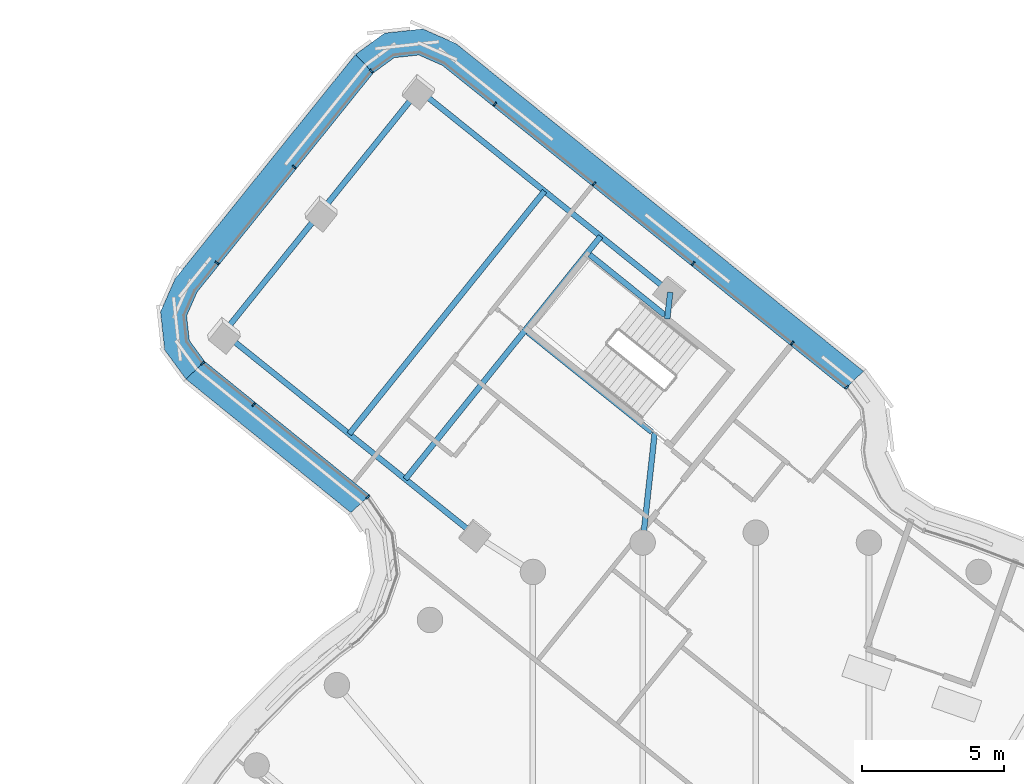
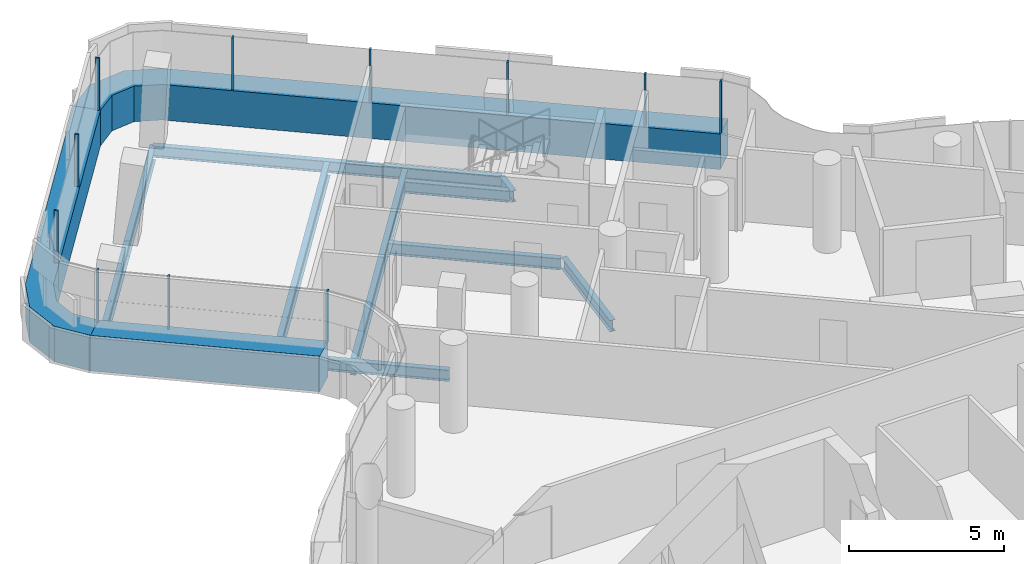
# One storey, part 12 of 25: 14 members, 10 beams, 4 elements without a shape of their own.
"""IFC4 building model written with IfcOpenShell, lengths in metres."""

from ifc_helpers import new_model, si_unit, direction, frame, origin, origin_2d, place, context, subcontext, project, spatial, polyline, rectangle, i_section, outline, extrude, material, layer, layer_set, material_profile, profile_set, type_object, element, aggregate, save


model = new_model("IFC4")

# Units and contexts
model_context = context("Model", 3, precision=1e-05, world=origin(), true_north=direction((0.0, 1.0)))
body_context = subcontext(model_context, "Body", "Model", "MODEL_VIEW")
ifc_project = project(units=[si_unit("LENGTHUNIT", "METRE"), si_unit("AREAUNIT", "SQUARE_METRE"), si_unit("VOLUMEUNIT", "CUBIC_METRE"), si_unit("PLANEANGLEUNIT", "RADIAN"), si_unit("MASSUNIT", "GRAM", prefix="KILO")], contexts=[model_context])

# Site, building, storey
site_placement = place(None, origin())
site = spatial("IfcSite", under=ifc_project, at=site_placement, CompositionType="ELEMENT")
building_placement = place(site_placement, origin())
building = spatial("IfcBuilding", under=site, at=building_placement, Name="Tamarind Cross Interchange Tower", CompositionType="ELEMENT")
storey_placement = place(building_placement, frame((0.0, 0.0, 219.89990234375)))
storey = spatial("IfcBuildingStorey", under=building, at=storey_placement, Name="L55", CompositionType="ELEMENT", Elevation=219.89990234375)

# Beams
ifc_material_1 = material(Name="Steel Q355B", Category="steel")
ifc_material_profile_1 = material_profile(ifc_material_1, i_section(OverallWidth=0.198974609375, OverallDepth=0.446044921875, WebThickness=0.008056640625, FlangeThickness=0.011962890625, FilletRadius=0.012939453125, at=origin_2d()), Name="HN 446x199x8x12")
ifc_profile_set_1 = profile_set([ifc_material_profile_1], Name="Steel Q355B")
beam_type_1 = type_object("IfcBeamType", Name="Composite beam HN 446x199x8x12 Q355B", PredefinedType="BEAM", material=ifc_profile_set_1)
for number, where, z_axis, x_axis, name in (
    (1, (-11.895263671875, 38.62353515625, -0.36279296875), (0.779272401701, -0.626685346843, 0.0), (0.626685346843, 0.779272401701, 0.0), "Beam N-edgeem4"),
    (2, (-18.78857421875, 30.05126953125, -0.36279296875), (0.779282872043, -0.626672326931, 0.0), (0.626672326931, 0.779282872043, 0.0), "Beam N-edgeep2"),
):
    element("IfcBeam", number, at=place(storey_placement, frame(where, z_axis=z_axis, x_axis=x_axis)), inside=storey, type_object=beam_type_1, Name=name, PredefinedType="BEAM", context=body_context, shape_type="SweptSolid", body=[
        extrude(i_section(OverallWidth=0.198974609375, OverallDepth=0.446044921875, WebThickness=0.008056640625, FlangeThickness=0.011962890625, FilletRadius=0.012939453125, at=origin_2d()), origin(), (0.0, 0.0, 1.0), 11.38720703125),
    ])
beam_1_placement = place(storey_placement, frame((-3.021484375, 31.4873046875, -0.36279296875), z_axis=(-0.109358275748, -0.994002398149, 0.0), x_axis=(0.994002398149, -0.109358275748, 0.0)))
element("IfcBeam", 3, at=beam_1_placement, inside=storey, type_object=beam_type_1, Name="Beam N-linkemt0", PredefinedType="BEAM", context=body_context, shape_type="SweptSolid", body=[
    extrude(i_section(OverallWidth=0.198974609375, OverallDepth=0.446044921875, WebThickness=0.008056640625, FlangeThickness=0.011962890625, FilletRadius=0.012939453125, at=origin_2d()), origin(), (0.0, 0.0, 1.0), 0.94873046875),
])
beam_2_placement = place(storey_placement, frame((-3.56640625, 26.5361328125, -0.36279296875), z_axis=(-0.109362077708, -0.994001979857, 0.0), x_axis=(0.994001979857, -0.109362077708, 0.0)))
element("IfcBeam", 4, at=beam_2_placement, inside=storey, type_object=beam_type_1, Name="Beam N-linkemt1", PredefinedType="BEAM", context=body_context, shape_type="SweptSolid", body=[
    extrude(i_section(OverallWidth=0.198974609375, OverallDepth=0.446044921875, WebThickness=0.008056640625, FlangeThickness=0.011962890625, FilletRadius=0.012939453125, at=origin_2d()), origin(), (0.0, 0.0, 1.0), 3.908935546875),
])
beam_3_placement = place(storey_placement, frame((-3.210693359375, 30.67724609375, -0.36279296875), z_axis=(-0.779281081299, 0.626674553759, 0.0), x_axis=(-0.626674553759, -0.779281081299, 0.0)))
element("IfcBeam", 5, at=beam_3_placement, inside=storey, type_object=beam_type_1, Name="Beam N-tr0s1", PredefinedType="BEAM", context=body_context, shape_type="SweptSolid", body=[
    extrude(i_section(OverallWidth=0.198974609375, OverallDepth=0.446044921875, WebThickness=0.008056640625, FlangeThickness=0.011962890625, FilletRadius=0.012939453125, at=origin_2d()), origin(), (0.0, 0.0, 1.0), 3.410888671875),
])
beam_4_placement = place(storey_placement, frame((-3.664794921875, 26.551025390625, -0.36279296875), z_axis=(-0.779279134662, 0.626676974429, 0.0), x_axis=(-0.626676974429, -0.779279134662, 0.0)))
element("IfcBeam", 6, at=beam_4_placement, inside=storey, type_object=beam_type_1, Name="Beam N-tr1s1", PredefinedType="BEAM", context=body_context, shape_type="SweptSolid", body=[
    extrude(i_section(OverallWidth=0.198974609375, OverallDepth=0.446044921875, WebThickness=0.008056640625, FlangeThickness=0.011962890625, FilletRadius=0.012939453125, at=origin_2d()), origin(), (0.0, 0.0, 1.0), 5.642578125),
])
ifc_material_profile_2 = material_profile(ifc_material_1, i_section(OverallWidth=0.198974609375, OverallDepth=0.595947265625, WebThickness=0.010009765625, FlangeThickness=0.014892578125, FilletRadius=0.012939453125, at=origin_2d()), Name="HN 596x199x10x15")
ifc_profile_set_2 = profile_set([ifc_material_profile_2], Name="Steel Q355B")
beam_type_2 = type_object("IfcBeamType", Name="Composite beam HN 596x199x10x15 Q355B", PredefinedType="BEAM", material=ifc_profile_set_2)
for number, where, z_axis, x_axis, name in (
    (7, (-11.895263671875, 38.62353515625, -0.43798828125), (-0.626674271496, -0.779281308286, 0.0), (0.779281308286, -0.626674271496, 0.0), "Beam N-tip0"),
    (8, (-15.342041015625, 34.33740234375, -0.43798828125), (-0.626647314262, -0.779302985704, 0.0), (0.779302985704, -0.626647314262, 0.0), "Beam N-tip1"),
):
    element("IfcBeam", number, at=place(storey_placement, frame(where, z_axis=z_axis, x_axis=x_axis)), inside=storey, type_object=beam_type_2, Name=name, PredefinedType="BEAM", context=body_context, shape_type="SweptSolid", body=[
        extrude(i_section(OverallWidth=0.198974609375, OverallDepth=0.595947265625, WebThickness=0.010009765625, FlangeThickness=0.014892578125, FilletRadius=0.012939453125, at=origin_2d()), origin(), (0.0, 0.0, 1.0), 5.5),
    ])
beam_5_placement = place(storey_placement, frame((-5.47607421875, 33.46142578125, -0.43798828125), z_axis=(-0.626671631996, -0.779283430884, 0.0), x_axis=(0.779283430884, -0.626671631996, 0.0)))
element("IfcBeam", 9, at=beam_5_placement, inside=storey, type_object=beam_type_2, Name="Beam N-x334", PredefinedType="BEAM", context=body_context, shape_type="SweptSolid", body=[
    extrude(i_section(OverallWidth=0.198974609375, OverallDepth=0.595947265625, WebThickness=0.010009765625, FlangeThickness=0.014892578125, FilletRadius=0.012939453125, at=origin_2d()), origin(), (0.0, 0.0, 1.0), 10.999755859375),
])
beam_6_placement = place(storey_placement, frame((-7.458251953125, 35.055419921875, -0.43798828125), z_axis=(-0.626685110264, -0.779272591956, 0.0), x_axis=(0.779272591956, -0.626685110264, 0.0)))
element("IfcBeam", 10, at=beam_6_placement, inside=storey, type_object=beam_type_2, Name="Beam N-x360", PredefinedType="BEAM", context=body_context, shape_type="SweptSolid", body=[
    extrude(i_section(OverallWidth=0.198974609375, OverallDepth=0.595947265625, WebThickness=0.010009765625, FlangeThickness=0.014892578125, FilletRadius=0.012939453125, at=origin_2d()), origin(), (0.0, 0.0, 1.0), 11.0),
])

# Curtain wall, member
ifc_material_2 = material(Name="Aluminium 6063-T6", Category="aluminium")
ifc_layer_1 = layer(ifc_material_2, 0.139892578125)
ifc_layer_set_1 = layer_set([ifc_layer_1], Name="Aluminium 6063-T6")
curtain_wall_type_1 = type_object("IfcCurtainWallType", Name="Hotel curtain wall, 4.5 m bays", PredefinedType="NOTDEFINED", material=ifc_layer_set_1)
curtain_wall_1_placement = place(storey_placement, origin())
curtain_wall_1 = element("IfcCurtainWall", 11, at=curtain_wall_1_placement, inside=storey, type_object=curtain_wall_type_1, Name="CWS-L55-03", PredefinedType="NOTDEFINED")
ifc_material_3 = material(Name="Aluminium and insulated spandrel panel", Category="aluminium")
member_type_1 = type_object("IfcMemberType", Name="Floor-edge blade transom", PredefinedType="USERDEFINED", material=ifc_material_3)
member_1_placement = place(storey_placement, origin())
member_1 = element("IfcMember", 12, at=member_1_placement, type_object=member_type_1, Name="CWT-L55-03", ObjectType="TRANSOM", PredefinedType="USERDEFINED", context=body_context, shape_type="SweptSolid", body=[
    extrude(outline(polyline([(3.144287109375, 28.069091796875), (-11.05615234375, 39.488525390625), (-11.8935546875, 39.85791015625), (-12.762939453125, 39.763427734375), (-13.501708984375, 39.222900390625), (-14.12890625, 39.87939453125), (-13.099853515625, 40.63232421875), (-11.7509765625, 40.778564453125), (-10.58447265625, 40.263916015625), (3.798583984375, 28.69775390625), (3.144287109375, 28.069091796875)])), origin(), (0.0, 0.0, 1.0), 1.400146484375),
])

curtain_wall_2_placement = place(storey_placement, origin())
curtain_wall_2 = element("IfcCurtainWall", 13, at=curtain_wall_2_placement, inside=storey, type_object=curtain_wall_type_1, Name="CWS-L55-04", PredefinedType="NOTDEFINED")
member_2_placement = place(storey_placement, origin())
member_2 = element("IfcMember", 14, at=member_2_placement, type_object=member_type_1, Name="CWT-L55-04", ObjectType="TRANSOM", PredefinedType="USERDEFINED", context=body_context, shape_type="SweptSolid", body=[
    extrude(outline(polyline([(-13.501708984375, 39.222900390625), (-19.718994140625, 31.49169921875), (-20.08837890625, 30.654052734375), (-19.993896484375, 29.78466796875), (-19.453125, 29.045654296875), (-20.1103515625, 28.419677734375), (-20.86279296875, 29.44775390625), (-21.009033203125, 30.796875), (-20.494384765625, 31.96337890625), (-14.12890625, 39.87939453125), (-13.501708984375, 39.222900390625)])), origin(), (0.0, 0.0, 1.0), 1.400146484375),
])

curtain_wall_3_placement = place(storey_placement, origin())
curtain_wall_3 = element("IfcCurtainWall", 15, at=curtain_wall_3_placement, inside=storey, type_object=curtain_wall_type_1, Name="CWS-L55-05", PredefinedType="NOTDEFINED")
member_3_placement = place(storey_placement, origin())
member_3 = element("IfcMember", 16, at=member_3_placement, type_object=member_type_1, Name="CWT-L55-05", ObjectType="TRANSOM", PredefinedType="USERDEFINED", context=body_context, shape_type="SweptSolid", body=[
    extrude(outline(polyline([(-19.453125, 29.045654296875), (-13.62255859375, 24.322998046875), (-14.2939453125, 23.70849609375), (-20.1103515625, 28.419677734375), (-19.453125, 29.045654296875)])), origin(), (0.0, 0.0, 1.0), 1.400146484375),
])

# Member
ifc_material_profile_3 = material_profile(ifc_material_2, rectangle(XDim=0.06005859375, YDim=0.139892578125, at=origin_2d()), Name="Mullion CW2")
ifc_profile_set_3 = profile_set([ifc_material_profile_3], Name="Aluminium 6063-T6")
member_type_2 = type_object("IfcMemberType", Name="Mullion CW2", PredefinedType="MULLION", material=ifc_profile_set_3)
member_4_placement = place(storey_placement, frame((3.217041015625, 28.138916015625, 1.400146484375), z_axis=(0.0, 0.0, 1.0), x_axis=(-0.692719126589, 0.721207467832, 0.0)))
member_4 = element("IfcMember", 17, at=member_4_placement, type_object=member_type_2, Name="CWM-L55-03-00", PredefinedType="MULLION", context=body_context, shape_type="SweptSolid", body=[
    extrude(rectangle(XDim=0.06005859375, YDim=0.139892578125, at=origin_2d()), origin(), (0.0, 0.0, 1.0), 2.06005859375),
])

member_5_placement = place(storey_placement, frame((1.285400390625, 29.692138671875, 1.400146484375), z_axis=(0.0, 0.0, 1.0), x_axis=(-0.779285467959, 0.62666909883, 0.0)))
member_5 = element("IfcMember", 18, at=member_5_placement, type_object=member_type_2, Name="CWM-L55-03-01", PredefinedType="MULLION", context=body_context, shape_type="SweptSolid", body=[
    extrude(rectangle(XDim=0.06005859375, YDim=0.139892578125, at=origin_2d()), origin(), (0.0, 0.0, 1.0), 2.06005859375),
])

member_6_placement = place(storey_placement, frame((-2.21142578125, 32.504150390625, 1.400146484375), z_axis=(0.0, 0.0, 1.0), x_axis=(-0.779285467959, 0.62666909883, 0.0)))
member_6 = element("IfcMember", 19, at=member_6_placement, type_object=member_type_2, Name="CWM-L55-03-02", PredefinedType="MULLION", context=body_context, shape_type="SweptSolid", body=[
    extrude(rectangle(XDim=0.06005859375, YDim=0.139892578125, at=origin_2d()), origin(), (0.0, 0.0, 1.0), 2.06005859375),
])

member_7_placement = place(storey_placement, frame((-5.708251953125, 35.316162109375, 1.400146484375), z_axis=(0.0, 0.0, 1.0), x_axis=(-0.779285467959, 0.62666909883, 0.0)))
member_7 = element("IfcMember", 20, at=member_7_placement, type_object=member_type_2, Name="CWM-L55-03-03", PredefinedType="MULLION", context=body_context, shape_type="SweptSolid", body=[
    extrude(rectangle(XDim=0.06005859375, YDim=0.139892578125, at=origin_2d()), origin(), (0.0, 0.0, 1.0), 2.06005859375),
])

member_8_placement = place(storey_placement, frame((-9.205078125, 38.128173828125, 1.400146484375), z_axis=(0.0, 0.0, 1.0), x_axis=(-0.779285467959, 0.62666909883, 0.0)))
member_8 = element("IfcMember", 21, at=member_8_placement, type_object=member_type_2, Name="CWM-L55-03-04", PredefinedType="MULLION", context=body_context, shape_type="SweptSolid", body=[
    extrude(rectangle(XDim=0.06005859375, YDim=0.139892578125, at=origin_2d()), origin(), (0.0, 0.0, 1.0), 2.06005859375),
])

aggregate(curtain_wall_1, [member_4, member_5, member_6, member_7, member_8, member_1])

member_9_placement = place(storey_placement, frame((-13.5712890625, 39.2958984375, 1.400146484375), z_axis=(0.0, 0.0, 1.0), x_axis=(-0.723025022602, -0.690821841499, 0.0)))
member_9 = element("IfcMember", 22, at=member_9_placement, type_object=member_type_2, Name="CWM-L55-04-00", PredefinedType="MULLION", context=body_context, shape_type="SweptSolid", body=[
    extrude(rectangle(XDim=0.06005859375, YDim=0.139892578125, at=origin_2d()), origin(), (0.0, 0.0, 1.0), 2.06005859375),
])

member_10_placement = place(storey_placement, frame((-16.294677734375, 35.909423828125, 1.400146484375), z_axis=(0.0, 0.0, 1.0), x_axis=(-0.62666909883, -0.779285467959, 0.0)))
member_10 = element("IfcMember", 23, at=member_10_placement, type_object=member_type_2, Name="CWM-L55-04-01", PredefinedType="MULLION", context=body_context, shape_type="SweptSolid", body=[
    extrude(rectangle(XDim=0.06005859375, YDim=0.139892578125, at=origin_2d()), origin(), (0.0, 0.0, 1.0), 2.06005859375),
])

member_11_placement = place(storey_placement, frame((-19.017822265625, 32.52294921875, 1.400146484375), z_axis=(0.0, 0.0, 1.0), x_axis=(-0.62666909883, -0.779285467959, 0.0)))
member_11 = element("IfcMember", 24, at=member_11_placement, type_object=member_type_2, Name="CWM-L55-04-02", PredefinedType="MULLION", context=body_context, shape_type="SweptSolid", body=[
    extrude(rectangle(XDim=0.06005859375, YDim=0.139892578125, at=origin_2d()), origin(), (0.0, 0.0, 1.0), 2.06005859375),
])

aggregate(curtain_wall_2, [member_9, member_10, member_11, member_2])

member_12_placement = place(storey_placement, frame((-19.526123046875, 28.97607421875, 1.400146484375), z_axis=(0.0, 0.0, 1.0), x_axis=(0.689549322538, -0.724238725689, 0.0)))
member_12 = element("IfcMember", 25, at=member_12_placement, type_object=member_type_2, Name="CWM-L55-05-00", PredefinedType="MULLION", context=body_context, shape_type="SweptSolid", body=[
    extrude(rectangle(XDim=0.06005859375, YDim=0.139892578125, at=origin_2d()), origin(), (0.0, 0.0, 1.0), 2.06005859375),
])

member_13_placement = place(storey_placement, frame((-17.726318359375, 27.518310546875, 1.400146484375), z_axis=(0.0, 0.0, 1.0), x_axis=(0.777076636839, -0.629405990184, 0.0)))
member_13 = element("IfcMember", 26, at=member_13_placement, type_object=member_type_2, Name="CWM-L55-05-01", PredefinedType="MULLION", context=body_context, shape_type="SweptSolid", body=[
    extrude(rectangle(XDim=0.06005859375, YDim=0.139892578125, at=origin_2d()), origin(), (0.0, 0.0, 1.0), 2.06005859375),
])

aggregate(curtain_wall_3, [member_12, member_13, member_3])

# Curtain wall, member
ifc_layer_2 = layer(ifc_material_2, 0.14990234375)
ifc_layer_set_2 = layer_set([ifc_layer_2], Name="Aluminium 6063-T6")
curtain_wall_type_2 = type_object("IfcCurtainWallType", Name="Winter garden and crown curtain wall", PredefinedType="NOTDEFINED", material=ifc_layer_set_2)
curtain_wall_4_placement = place(storey_placement, origin())
curtain_wall_4 = element("IfcCurtainWall", 27, at=curtain_wall_4_placement, inside=storey, type_object=curtain_wall_type_2, Name="CWS-L55-06", PredefinedType="NOTDEFINED")
ifc_material_profile_4 = material_profile(ifc_material_2, rectangle(XDim=0.06005859375, YDim=0.14990234375, at=origin_2d()), Name="Mullion CW6")
ifc_profile_set_4 = profile_set([ifc_material_profile_4], Name="Aluminium 6063-T6")
member_type_3 = type_object("IfcMemberType", Name="Mullion CW6", PredefinedType="MULLION", material=ifc_profile_set_4)
member_14_placement = place(storey_placement, frame((-13.697265625, 24.2548828125, 1.400146484375), z_axis=(0.0, 0.0, 1.0), x_axis=(0.675282370329, -0.73755929953, 0.0)))
member_14 = element("IfcMember", 28, at=member_14_placement, type_object=member_type_3, Name="CWM-L55-06-00", PredefinedType="MULLION", context=body_context, shape_type="SweptSolid", body=[
    extrude(rectangle(XDim=0.06005859375, YDim=0.14990234375, at=origin_2d()), origin(), (0.0, 0.0, 1.0), 2.06005859375),
])
aggregate(curtain_wall_4, [member_14])

save(model, "model.ifc")
